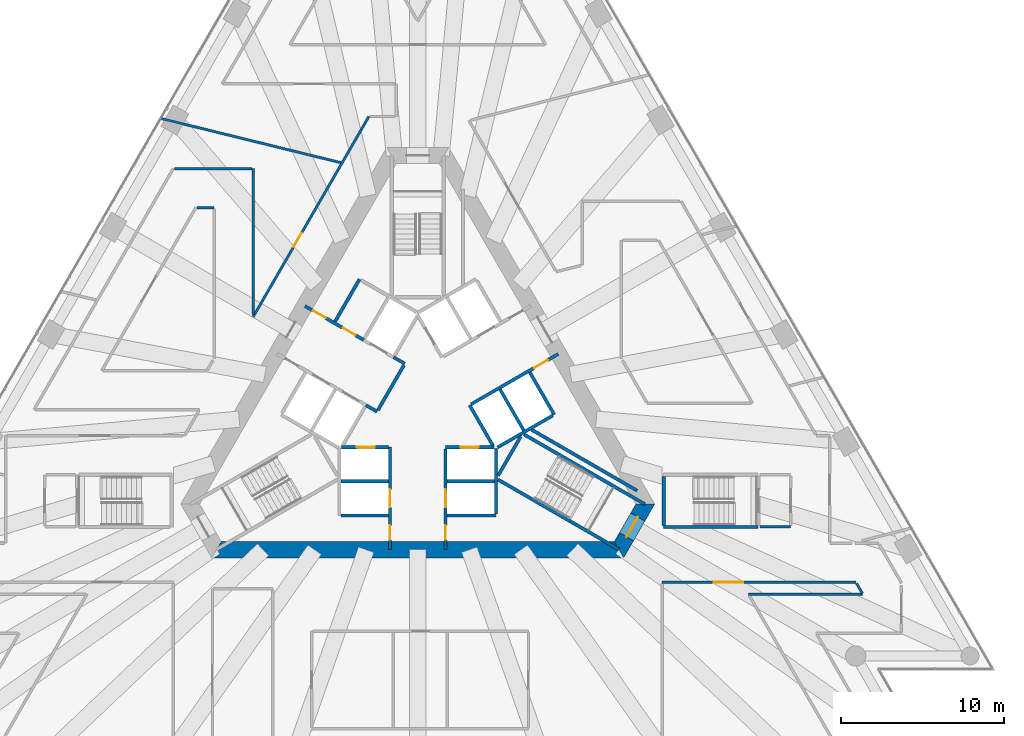
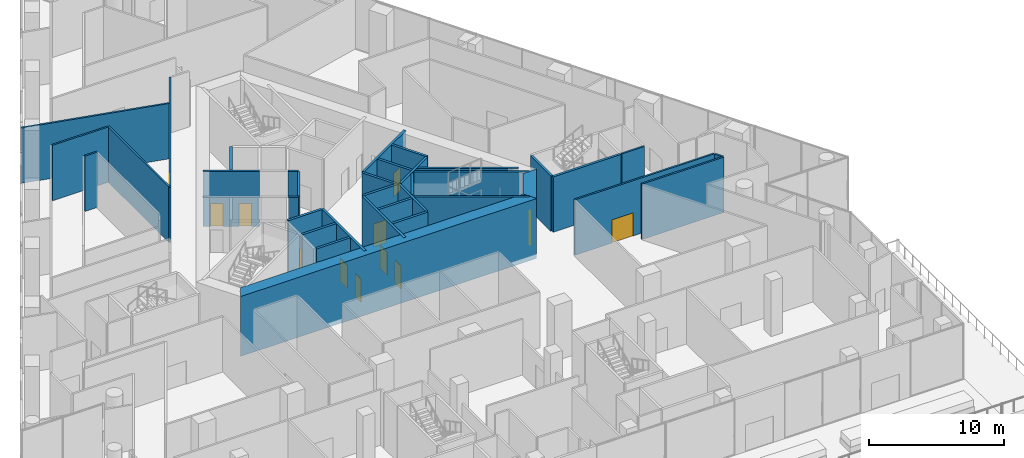
# One storey, part 24 of 32: 36 walls, 12 doors, 12 openings.
"""IFC4 building model written with IfcOpenShell, lengths in metres."""

from ifc_helpers import new_model, si_unit, direction, frame, frame_2d, origin, place, context, subcontext, project, spatial, polyline, rectangle, outline, extrude, material, layer, layer_set, type_object, element, fill, save


model = new_model("IFC4")

# Units and contexts
model_context = context("Model", 3, precision=1e-05, world=origin(), true_north=direction((0.0, 1.0)))
body_context = subcontext(model_context, "Body", "Model", "MODEL_VIEW")
ifc_project = project(units=[si_unit("LENGTHUNIT", "METRE"), si_unit("AREAUNIT", "SQUARE_METRE"), si_unit("VOLUMEUNIT", "CUBIC_METRE"), si_unit("PLANEANGLEUNIT", "RADIAN"), si_unit("MASSUNIT", "GRAM", prefix="KILO")], contexts=[model_context])

# Site, building, storey
site_placement = place(None, origin())
site = spatial("IfcSite", under=ifc_project, at=site_placement, CompositionType="ELEMENT")
building_placement = place(site_placement, origin())
building = spatial("IfcBuilding", under=site, at=building_placement, Name="Triada Interchange Tower", CompositionType="ELEMENT")
storey_placement = place(building_placement, frame((0.0, 0.0, 14.5)))
storey = spatial("IfcBuildingStorey", under=building, at=storey_placement, Name="L02", CompositionType="ELEMENT", Elevation=14.5)

# Walls
ifc_material_1 = material(Name="Concrete C30/37", Category="concrete")
ifc_layer_1 = layer(ifc_material_1, 0.199951171875)
ifc_layer_set_1 = layer_set([ifc_layer_1], Name="CORE WALL 200 EI 120")
wall_type_1 = type_object("IfcWallType", Name="CORE WALL 200 EI 120", PredefinedType="SOLIDWALL", material=ifc_layer_set_1)
for number, where, z_axis, x_axis, name in (
    (1, (-4.699951171875, -4.800048828125, 0.0), (0.0, 0.0, 1.0), (1.0, 0.0, 0.0), "Wall L02 145"),
    (2, (1.800048828125, -4.800048828125, 0.0), (0.0, 0.0, 1.0), (1.0, 0.0, 0.0), "Wall L02 146"),
    (3, (-4.699951171875, -6.89990234375, 0.0), (0.0, 0.0, 1.0), (1.0, 0.0, 0.0), "Wall L02 148"),
):
    element("IfcWall", number, at=place(storey_placement, frame(where, z_axis=z_axis, x_axis=x_axis)), inside=storey, type_object=wall_type_1, Name=name, PredefinedType="SOLIDWALL", context=body_context, shape_type="SweptSolid", body=[
        extrude(rectangle(XDim=2.89990234375, YDim=0.199951171875, at=frame_2d((1.449951171875, 0.0))), origin(), (0.0, 0.0, 1.0), 5.0),
    ])
wall_1_placement = place(storey_placement, frame((1.800048828125, -6.89990234375, 0.0), z_axis=(0.0, 0.0, 1.0), x_axis=(1.0, 0.0, 0.0)))
element("IfcWall", 4, at=wall_1_placement, inside=storey, type_object=wall_type_1, Name="Wall L02 149", PredefinedType="SOLIDWALL", context=body_context, shape_type="SweptSolid", body=[
    extrude(rectangle(XDim=3.0, YDim=0.199951171875, at=frame_2d((1.5, 0.0))), origin(), (0.0, 0.0, 1.0), 5.0),
])

# Wall, openings, doors
wall_2_placement = place(storey_placement, frame((-1.699951171875, -8.97998046875, 0.0), z_axis=(0.0, 0.0, 1.0), x_axis=(0.0, 1.0, 0.0)))
wall_2 = element("IfcWall", 5, at=wall_2_placement, inside=storey, type_object=wall_type_1, Name="Wall L02 150", PredefinedType="SOLIDWALL", context=body_context, shape_type="SweptSolid", body=[
    extrude(rectangle(XDim=6.277099609375, YDim=0.199951171875, at=frame_2d((3.138671875, 0.0))), origin(), (0.0, 0.0, 1.0), 5.0),
])
opening_1_placement = place(wall_2_placement, frame((2.580078125, 0.0, 0.0)))
opening_1 = element("IfcOpeningElement", 6, at=opening_1_placement, cuts=wall_2, Name="Opening LD-LR4", PredefinedType="OPENING", context=body_context, shape_type="SweptSolid", body=[
    extrude(rectangle(XDim=1.10009765625, YDim=2.10009765625, at=frame_2d((0.550048828125, 1.050048828125))), frame((0.0, 0.10986328125, 0.0), z_axis=(0.0, -1.0, 0.0), x_axis=(1.0, 0.0, 0.0)), (0.0, 0.0, 1.0), 0.219970703125),
])
opening_2_placement = place(wall_2_placement, frame((0.580078125, 0.0, 0.0)))
opening_2 = element("IfcOpeningElement", 7, at=opening_2_placement, cuts=wall_2, Name="Opening D02-58", PredefinedType="OPENING", context=body_context, shape_type="SweptSolid", body=[
    extrude(rectangle(XDim=0.89990234375, YDim=2.10009765625, at=frame_2d((0.449951171875, 1.050048828125))), frame((0.0, 0.10986328125, 0.0), z_axis=(0.0, -1.0, 0.0), x_axis=(1.0, 0.0, 0.0)), (0.0, 0.0, 1.0), 0.219970703125),
])
ifc_material_2 = material(Name="Steel S235 door leaf", Category="steel")
door_type_1 = type_object("IfcDoorType", Name="LIFT LANDING DOOR 1100 EI 120", OperationType="SLIDING_TO_LEFT", PredefinedType="DOOR", material=ifc_material_2)
door_1_placement = place(opening_1_placement, origin())
door_1 = element("IfcDoor", 8, at=door_1_placement, inside=storey, type_object=door_type_1, Name="LR4 landing door L02", OperationType="SLIDING_TO_LEFT", OverallHeight=2.10009765625, OverallWidth=1.10009765625, PredefinedType="DOOR", context=body_context, shape_type="SweptSolid", body=[
    extrude(rectangle(XDim=1.10009765625, YDim=2.10009765625, at=frame_2d((0.550048828125, 1.050048828125))), frame((0.0, 0.02490234375, 0.0), z_axis=(0.0, -1.0, 0.0), x_axis=(1.0, 0.0, 0.0)), (0.0, 0.0, 1.0), 0.050048828125),
])
fill(opening_1, door_1)
door_type_2 = type_object("IfcDoorType", Name="SERVICE DOOR 900 EI2 45-C5S200", OperationType="NOTDEFINED", PredefinedType="DOOR", material=ifc_material_2)
door_2_placement = place(opening_2_placement, origin())
door_2 = element("IfcDoor", 9, at=door_2_placement, inside=storey, type_object=door_type_2, Name="Door D02-58 L02", OperationType="SINGLE_SWING_RIGHT", OverallHeight=2.10009765625, OverallWidth=0.89990234375, PredefinedType="DOOR", context=body_context, shape_type="SweptSolid", body=[
    extrude(rectangle(XDim=0.89990234375, YDim=2.10009765625, at=frame_2d((0.449951171875, 1.050048828125))), frame((0.0, 0.02490234375, 0.0), z_axis=(0.0, -1.0, 0.0), x_axis=(1.0, 0.0, 0.0)), (0.0, 0.0, 1.0), 0.050048828125),
])
fill(opening_2, door_2)

# Wall, opening, door
wall_3_placement = place(storey_placement, frame((-4.676025390625, -2.699951171875, 0.0), z_axis=(0.0, 0.0, 1.0), x_axis=(1.0, 0.0, 0.0)))
wall_3 = element("IfcWall", 10, at=wall_3_placement, inside=storey, type_object=wall_type_1, Name="Wall L02 151", PredefinedType="SOLIDWALL", context=body_context, shape_type="SweptSolid", body=[
    extrude(rectangle(XDim=2.873046875, YDim=0.199951171875, at=frame_2d((1.4365234375, 0.0))), origin(), (0.0, 0.0, 1.0), 5.0),
])
opening_3_placement = place(wall_3_placement, frame((0.93701171875, 0.0, 0.0)))
opening_3 = element("IfcOpeningElement", 11, at=opening_3_placement, cuts=wall_3, Name="Opening LD-LR3", PredefinedType="OPENING", context=body_context, shape_type="SweptSolid", body=[
    extrude(rectangle(XDim=1.10009765625, YDim=2.10009765625, at=frame_2d((0.550048828125, 1.050048828125))), frame((0.0, 0.10986328125, 0.0), z_axis=(0.0, -1.0, 0.0), x_axis=(1.0, 0.0, 0.0)), (0.0, 0.0, 1.0), 0.219970703125),
])
door_3_placement = place(opening_3_placement, origin())
door_3 = element("IfcDoor", 12, at=door_3_placement, inside=storey, type_object=door_type_1, Name="LR3 landing door L02", OperationType="SLIDING_TO_LEFT", OverallHeight=2.10009765625, OverallWidth=1.10009765625, PredefinedType="DOOR", context=body_context, shape_type="SweptSolid", body=[
    extrude(rectangle(XDim=1.10009765625, YDim=2.10009765625, at=frame_2d((0.550048828125, 1.050048828125))), frame((0.0, 0.02490234375, 0.0), z_axis=(0.0, -1.0, 0.0), x_axis=(1.0, 0.0, 0.0)), (0.0, 0.0, 1.0), 0.050048828125),
])
fill(opening_3, door_3)

wall_4_placement = place(storey_placement, frame((1.702880859375, -2.699951171875, 0.0), z_axis=(0.0, 0.0, 1.0), x_axis=(1.0, 0.0, 0.0)))
wall_4 = element("IfcWall", 13, at=wall_4_placement, inside=storey, type_object=wall_type_1, Name="Wall L02 152", PredefinedType="SOLIDWALL", context=body_context, shape_type="SweptSolid", body=[
    extrude(rectangle(XDim=2.97314453125, YDim=0.199951171875, at=frame_2d((1.486572265625, 0.0))), origin(), (0.0, 0.0, 1.0), 5.0),
])
opening_4_placement = place(wall_4_placement, frame((0.93603515625, 0.0, 0.0)))
opening_4 = element("IfcOpeningElement", 14, at=opening_4_placement, cuts=wall_4, Name="Opening LD-LR1", PredefinedType="OPENING", context=body_context, shape_type="SweptSolid", body=[
    extrude(rectangle(XDim=1.10009765625, YDim=2.10009765625, at=frame_2d((0.550048828125, 1.050048828125))), frame((0.0, 0.10986328125, 0.0), z_axis=(0.0, -1.0, 0.0), x_axis=(1.0, 0.0, 0.0)), (0.0, 0.0, 1.0), 0.219970703125),
])
door_4_placement = place(opening_4_placement, origin())
door_4 = element("IfcDoor", 15, at=door_4_placement, inside=storey, type_object=door_type_1, Name="LR1 landing door L02", OperationType="SLIDING_TO_LEFT", OverallHeight=2.10009765625, OverallWidth=1.10009765625, PredefinedType="DOOR", context=body_context, shape_type="SweptSolid", body=[
    extrude(rectangle(XDim=1.10009765625, YDim=2.10009765625, at=frame_2d((0.550048828125, 1.050048828125))), frame((0.0, 0.02490234375, 0.0), z_axis=(0.0, -1.0, 0.0), x_axis=(1.0, 0.0, 0.0)), (0.0, 0.0, 1.0), 0.050048828125),
])
fill(opening_4, door_4)

# Wall
wall_5_placement = place(storey_placement, frame((3.18994140625, -0.125, 0.0), z_axis=(0.0, 0.0, 1.0), x_axis=(0.499988658015, -0.866031951983, 0.0)))
element("IfcWall", 16, at=wall_5_placement, inside=storey, type_object=wall_type_1, Name="Wall L02 155", PredefinedType="SOLIDWALL", context=body_context, shape_type="SweptSolid", body=[
    extrude(rectangle(XDim=2.85791015625, YDim=0.199951171875, at=frame_2d((1.428955078125, 0.0))), origin(), (0.0, 0.0, 1.0), 5.0),
])

# Wall, openings, doors
wall_6_placement = place(storey_placement, frame((1.699951171875, -8.97998046875, 0.0), z_axis=(0.0, 0.0, 1.0), x_axis=(0.0, 1.0, 0.0)))
wall_6 = element("IfcWall", 17, at=wall_6_placement, inside=storey, type_object=wall_type_1, Name="Wall L02 157", PredefinedType="SOLIDWALL", context=body_context, shape_type="SweptSolid", body=[
    extrude(rectangle(XDim=6.177001953125, YDim=0.199951171875, at=frame_2d((3.08837890625, 0.0))), origin(), (0.0, 0.0, 1.0), 5.0),
])
opening_5_placement = place(wall_6_placement, frame((2.580078125, 0.0, 0.0)))
opening_5 = element("IfcOpeningElement", 18, at=opening_5_placement, cuts=wall_6, Name="Opening LD-LR2", PredefinedType="OPENING", context=body_context, shape_type="SweptSolid", body=[
    extrude(rectangle(XDim=1.10009765625, YDim=2.10009765625, at=frame_2d((0.550048828125, 1.050048828125))), frame((0.0, 0.10986328125, 0.0), z_axis=(0.0, -1.0, 0.0), x_axis=(1.0, 0.0, 0.0)), (0.0, 0.0, 1.0), 0.219970703125),
])
opening_6_placement = place(wall_6_placement, frame((0.580078125, 0.0, 0.0)))
opening_6 = element("IfcOpeningElement", 19, at=opening_6_placement, cuts=wall_6, Name="Opening D02-61", PredefinedType="OPENING", context=body_context, shape_type="SweptSolid", body=[
    extrude(rectangle(XDim=0.89990234375, YDim=2.10009765625, at=frame_2d((0.449951171875, 1.050048828125))), frame((0.0, 0.10986328125, 0.0), z_axis=(0.0, -1.0, 0.0), x_axis=(1.0, 0.0, 0.0)), (0.0, 0.0, 1.0), 0.219970703125),
])
door_5_placement = place(opening_5_placement, origin())
door_5 = element("IfcDoor", 20, at=door_5_placement, inside=storey, type_object=door_type_1, Name="LR2 landing door L02", OperationType="SLIDING_TO_LEFT", OverallHeight=2.10009765625, OverallWidth=1.10009765625, PredefinedType="DOOR", context=body_context, shape_type="SweptSolid", body=[
    extrude(rectangle(XDim=1.10009765625, YDim=2.10009765625, at=frame_2d((0.550048828125, 1.050048828125))), frame((0.0, 0.02490234375, 0.0), z_axis=(0.0, -1.0, 0.0), x_axis=(1.0, 0.0, 0.0)), (0.0, 0.0, 1.0), 0.050048828125),
])
fill(opening_5, door_5)
door_type_3 = type_object("IfcDoorType", Name="RISER ACCESS DOOR 900 EI2 45-C5S200", OperationType="NOTDEFINED", PredefinedType="DOOR", material=ifc_material_2)
door_6_placement = place(opening_6_placement, origin())
door_6 = element("IfcDoor", 21, at=door_6_placement, inside=storey, type_object=door_type_3, Name="Door D02-61 L02", OperationType="SINGLE_SWING_LEFT", OverallHeight=2.10009765625, OverallWidth=0.89990234375, PredefinedType="DOOR", context=body_context, shape_type="SweptSolid", body=[
    extrude(rectangle(XDim=0.89990234375, YDim=2.10009765625, at=frame_2d((0.449951171875, 1.050048828125))), frame((0.0, 0.02490234375, 0.0), z_axis=(0.0, -1.0, 0.0), x_axis=(1.0, 0.0, 0.0)), (0.0, 0.0, 1.0), 0.050048828125),
])
fill(opening_6, door_6)

# Wall
wall_7_placement = place(storey_placement, frame((4.800048828125, -6.800048828125, 0.0), z_axis=(0.0, 0.0, 1.0), x_axis=(0.0, 1.0, 0.0)))
element("IfcWall", 22, at=wall_7_placement, inside=storey, type_object=wall_type_1, Name="Wall L02 158", PredefinedType="SOLIDWALL", context=body_context, shape_type="SweptSolid", body=[
    extrude(rectangle(XDim=4.029052734375, YDim=0.199951171875, at=frame_2d((2.0146484375, 0.0))), origin(), (0.0, 0.0, 1.0), 5.0),
])

# Wall, opening, door
wall_8_placement = place(storey_placement, frame((3.278076171875, -0.071044921875, 0.0), z_axis=(0.0, 0.0, 1.0), x_axis=(0.865959795517, 0.500113619639, 0.0)))
wall_8 = element("IfcWall", 23, at=wall_8_placement, inside=storey, type_object=wall_type_1, Name="Wall L02 159", PredefinedType="SOLIDWALL", context=body_context, shape_type="SweptSolid", body=[
    extrude(rectangle(XDim=6.1767578125, YDim=0.199951171875, at=frame_2d((3.08837890625, 0.0))), origin(), (0.0, 0.0, 1.0), 5.0),
])
opening_7_placement = place(wall_8_placement, frame((4.447021484375, 0.0, 0.0)))
opening_7 = element("IfcOpeningElement", 24, at=opening_7_placement, cuts=wall_8, Name="Opening D02-62", PredefinedType="OPENING", context=body_context, shape_type="SweptSolid", body=[
    extrude(rectangle(XDim=1.0, YDim=2.10009765625, at=frame_2d((0.5, 1.050048828125))), frame((0.0, 0.10986328125, 0.0), z_axis=(0.0, -1.0, 0.0), x_axis=(1.0, 0.0, 0.0)), (0.0, 0.0, 1.0), 0.219970703125),
])
door_type_4 = type_object("IfcDoorType", Name="SERVICE DOOR 1000 EI2 45-C5S200", OperationType="NOTDEFINED", PredefinedType="DOOR", material=ifc_material_2)
door_7_placement = place(opening_7_placement, origin())
door_7 = element("IfcDoor", 25, at=door_7_placement, inside=storey, type_object=door_type_4, Name="Door D02-62 L02", OperationType="SINGLE_SWING_RIGHT", OverallHeight=2.10009765625, OverallWidth=1.0, PredefinedType="DOOR", context=body_context, shape_type="SweptSolid", body=[
    extrude(rectangle(XDim=1.0, YDim=2.10009765625, at=frame_2d((0.5, 1.050048828125))), frame((0.0, 0.02490234375, 0.0), z_axis=(0.0, -1.0, 0.0), x_axis=(1.0, 0.0, 0.0)), (0.0, 0.0, 1.0), 0.050048828125),
])
fill(opening_7, door_7)

# Walls
wall_9_placement = place(storey_placement, frame((6.8759765625, 1.89111328125, 0.0), z_axis=(0.0, 0.0, 1.0), x_axis=(0.499990139034, -0.866031096941, 0.0)))
element("IfcWall", 26, at=wall_9_placement, inside=storey, type_object=wall_type_1, Name="Wall L02 161", PredefinedType="SOLIDWALL", context=body_context, shape_type="SweptSolid", body=[
    extrude(rectangle(XDim=3.0, YDim=0.199951171875, at=frame_2d((1.5, 0.0))), origin(), (0.0, 0.0, 1.0), 5.0),
])
wall_10_placement = place(storey_placement, frame((5.056884765625, 0.841064453125, 0.0), z_axis=(0.0, 0.0, 1.0), x_axis=(0.50012328804, -0.865954211699, 0.0)))
element("IfcWall", 27, at=wall_10_placement, inside=storey, type_object=wall_type_1, Name="Wall L02 163", PredefinedType="SOLIDWALL", context=body_context, shape_type="SweptSolid", body=[
    extrude(rectangle(XDim=2.899658203125, YDim=0.199951171875, at=frame_2d((1.44970703125, 0.0))), origin(), (0.0, 0.0, 1.0), 5.0),
])
wall_11_placement = place(storey_placement, frame((4.89990234375, -2.714111328125, 0.0), z_axis=(0.0, 0.0, 1.0), x_axis=(0.865992350556, 0.500057245502, 0.0)))
element("IfcWall", 28, at=wall_11_placement, inside=storey, type_object=wall_type_1, Name="Wall L02 164", PredefinedType="SOLIDWALL", context=body_context, shape_type="SweptSolid", body=[
    extrude(rectangle(XDim=3.91357421875, YDim=0.199951171875, at=frame_2d((1.956787109375, 0.0))), origin(), (0.0, 0.0, 1.0), 5.0),
])
ifc_layer_2 = layer(ifc_material_1, 0.199951171875)
ifc_layer_set_2 = layer_set([ifc_layer_2], Name="CORE WALL 200 EI 180")
wall_type_2 = type_object("IfcWallType", Name="CORE WALL 200 EI 180", PredefinedType="SOLIDWALL", material=ifc_layer_set_2)
wall_12_placement = place(storey_placement, frame((-3.18798828125, -0.1220703125, 0.0), z_axis=(0.0, 0.0, 1.0), x_axis=(0.865705793592, -0.50055317294, 0.0)))
element("IfcWall", 29, at=wall_12_placement, inside=storey, type_object=wall_type_2, Name="Wall L02 166", PredefinedType="SOLIDWALL", context=body_context, shape_type="SweptSolid", body=[
    extrude(rectangle(XDim=0.796875, YDim=0.199951171875, at=frame_2d((0.3984375, 0.0))), origin(), (0.0, 0.0, 1.0), 5.0),
])

# Wall, openings, doors
wall_13_placement = place(storey_placement, frame((-6.927001953125, 5.9619140625, 0.0), z_axis=(0.0, 0.0, 1.0), x_axis=(0.866065051207, -0.49993132236, 0.0)))
wall_13 = element("IfcWall", 30, at=wall_13_placement, inside=storey, type_object=wall_type_2, Name="Wall L02 167", PredefinedType="SOLIDWALL", context=body_context, shape_type="SweptSolid", body=[
    extrude(rectangle(XDim=4.18212890625, YDim=0.199951171875, at=frame_2d((2.091064453125, 0.0))), origin(), (0.0, 0.0, 1.0), 5.0),
])
opening_8_placement = place(wall_13_placement, frame((2.679931640625, 0.0, 0.0)))
opening_8 = element("IfcOpeningElement", 31, at=opening_8_placement, cuts=wall_13, Name="Opening D02-10", PredefinedType="OPENING", context=body_context, shape_type="SweptSolid", body=[
    extrude(rectangle(XDim=0.89990234375, YDim=2.10009765625, at=frame_2d((0.449951171875, 1.050048828125))), frame((0.0, 0.10986328125, 0.0), z_axis=(0.0, -1.0, 0.0), x_axis=(1.0, 0.0, 0.0)), (0.0, 0.0, 1.0), 0.219970703125),
])
opening_9_placement = place(wall_13_placement, frame((0.580078125, 0.0, 0.0)))
opening_9 = element("IfcOpeningElement", 32, at=opening_9_placement, cuts=wall_13, Name="Opening D02-59", PredefinedType="OPENING", context=body_context, shape_type="SweptSolid", body=[
    extrude(rectangle(XDim=0.89990234375, YDim=2.10009765625, at=frame_2d((0.449951171875, 1.050048828125))), frame((0.0, 0.10986328125, 0.0), z_axis=(0.0, -1.0, 0.0), x_axis=(1.0, 0.0, 0.0)), (0.0, 0.0, 1.0), 0.219970703125),
])
door_8_placement = place(opening_9_placement, origin())
door_8 = element("IfcDoor", 33, at=door_8_placement, inside=storey, type_object=door_type_2, Name="Door D02-59 L02", OperationType="SINGLE_SWING_RIGHT", OverallHeight=2.10009765625, OverallWidth=0.89990234375, PredefinedType="DOOR", context=body_context, shape_type="SweptSolid", body=[
    extrude(rectangle(XDim=0.89990234375, YDim=2.10009765625, at=frame_2d((0.449951171875, 1.050048828125))), frame((0.0, 0.02490234375, 0.0), z_axis=(0.0, -1.0, 0.0), x_axis=(1.0, 0.0, 0.0)), (0.0, 0.0, 1.0), 0.050048828125),
])
fill(opening_9, door_8)
door_type_5 = type_object("IfcDoorType", Name="SERVICE DOOR 900 EI2 90-C5S200", OperationType="NOTDEFINED", PredefinedType="DOOR", material=ifc_material_2)
door_9_placement = place(opening_8_placement, origin())
door_9 = element("IfcDoor", 34, at=door_9_placement, inside=storey, type_object=door_type_5, Name="Door D02-10 L02", OperationType="SINGLE_SWING_LEFT", OverallHeight=2.10009765625, OverallWidth=0.89990234375, PredefinedType="DOOR", context=body_context, shape_type="SweptSolid", body=[
    extrude(rectangle(XDim=0.89990234375, YDim=2.10009765625, at=frame_2d((0.449951171875, 1.050048828125))), frame((0.0, 0.02490234375, 0.0), z_axis=(0.0, -1.0, 0.0), x_axis=(1.0, 0.0, 0.0)), (0.0, 0.0, 1.0), 0.050048828125),
])
fill(opening_8, door_9)

# Walls
wall_14_placement = place(storey_placement, frame((-1.488037109375, 2.822021484375, 0.0), z_axis=(0.0, 0.0, 1.0), x_axis=(0.866236612152, -0.499633997809, 0.0)))
element("IfcWall", 35, at=wall_14_placement, inside=storey, type_object=wall_type_2, Name="Wall L02 168", PredefinedType="SOLIDWALL", context=body_context, shape_type="SweptSolid", body=[
    extrude(rectangle(XDim=0.79638671875, YDim=0.199951171875, at=frame_2d((0.398193359375, 0.0))), origin(), (0.0, 0.0, 1.0), 5.0),
])
wall_15_placement = place(storey_placement, frame((-5.075927734375, 5.009033203125, 0.0), z_axis=(0.0, 0.0, 1.0), x_axis=(0.50002537861, 0.866010750942, 0.0)))
element("IfcWall", 36, at=wall_15_placement, inside=storey, type_object=wall_type_2, Name="Wall L02 169", PredefinedType="SOLIDWALL", context=body_context, shape_type="SweptSolid", body=[
    extrude(rectangle(XDim=2.999755859375, YDim=0.199951171875, at=frame_2d((1.5, 0.0))), origin(), (0.0, 0.0, 1.0), 5.0),
])
wall_16_placement = place(storey_placement, frame((-2.444091796875, -0.43310546875, 0.0), z_axis=(0.0, 0.0, 1.0), x_axis=(0.500035624827, 0.866004834804, 0.0)))
element("IfcWall", 37, at=wall_16_placement, inside=storey, type_object=wall_type_2, Name="Wall L02 171", PredefinedType="SOLIDWALL", context=body_context, shape_type="SweptSolid", body=[
    extrude(rectangle(XDim=3.194091796875, YDim=0.199951171875, at=frame_2d((1.59716796875, 0.0))), origin(), (0.0, 0.0, 1.0), 5.0),
])
ifc_layer_3 = layer(ifc_material_1, 0.199951171875)
ifc_layer_set_3 = layer_set([ifc_layer_3], Name="CORE WALL 200 EI 90")
wall_type_3 = type_object("IfcWallType", Name="CORE WALL 200 EI 90", PredefinedType="SOLIDWALL", material=ifc_layer_set_3)
wall_17_placement = place(storey_placement, frame((6.98291015625, -1.6259765625, 0.0), z_axis=(0.0, 0.0, 1.0), x_axis=(0.866012469592, -0.50002240201, 0.0)))
element("IfcWall", 38, at=wall_17_placement, inside=storey, type_object=wall_type_3, Name="Wall L02 181", PredefinedType="SOLIDWALL", context=body_context, shape_type="SweptSolid", body=[
    extrude(rectangle(XDim=7.491943359375, YDim=0.199951171875, at=frame_2d((3.74609375, 0.0))), origin(), (0.0, 0.0, 1.0), 5.0),
])
ifc_layer_4 = layer(ifc_material_1, 0.199951171875)
ifc_layer_set_4 = layer_set([ifc_layer_4], Name="CORE WALL 200 REI 240")
wall_type_4 = type_object("IfcWallType", Name="CORE WALL 200 REI 240", PredefinedType="SOLIDWALL", material=ifc_layer_set_4)
wall_18_placement = place(storey_placement, frame((4.928955078125, -4.693115234375, 0.0), z_axis=(0.0, 0.0, 1.0), x_axis=(0.865987152174, -0.50006624788, 0.0)))
element("IfcWall", 39, at=wall_18_placement, inside=storey, type_object=wall_type_4, Name="Wall L02 188", PredefinedType="SOLIDWALL", context=body_context, shape_type="SweptSolid", body=[
    extrude(rectangle(XDim=8.564697265625, YDim=0.199951171875, at=frame_2d((4.2822265625, 0.0))), origin(), (0.0, 0.0, 1.0), 5.0),
])
wall_19_placement = place(storey_placement, frame((4.928955078125, -4.4619140625, 0.0), z_axis=(0.0, 0.0, 1.0), x_axis=(0.500200581029, 0.865909567298, 0.0)))
element("IfcWall", 40, at=wall_19_placement, inside=storey, type_object=wall_type_4, Name="Wall L02 189", PredefinedType="SOLIDWALL", context=body_context, shape_type="SweptSolid", body=[
    extrude(rectangle(XDim=2.799072265625, YDim=0.199951171875, at=frame_2d((1.3994140625, 0.0))), origin(), (0.0, 0.0, 1.0), 5.0),
])
wall_20_placement = place(storey_placement, frame((6.529052734375, -1.922119140625, 0.0), z_axis=(0.0, 0.0, 1.0), x_axis=(0.866036527536, -0.499980732602, 0.0)))
element("IfcWall", 41, at=wall_20_placement, inside=storey, type_object=wall_type_4, Name="Wall L02 190", PredefinedType="SOLIDWALL", context=body_context, shape_type="SweptSolid", body=[
    extrude(rectangle(XDim=8.564208984375, YDim=0.199951171875, at=frame_2d((4.2822265625, 0.0))), origin(), (0.0, 0.0, 1.0), 5.0),
])
wall_21_placement = place(storey_placement, frame((15.10009765625, -7.60009765625, 0.0), z_axis=(0.0, 0.0, 1.0), x_axis=(1.0, 0.0, 0.0)))
element("IfcWall", 42, at=wall_21_placement, inside=storey, type_object=wall_type_4, Name="Wall L02 196", PredefinedType="SOLIDWALL", context=body_context, shape_type="SweptSolid", body=[
    extrude(rectangle(XDim=5.7978515625, YDim=0.199951171875, at=frame_2d((2.89892578125, 0.0))), origin(), (0.0, 0.0, 1.0), 5.0),
])
wall_22_placement = place(storey_placement, frame((15.10009765625, -7.5, 0.0), z_axis=(0.0, 0.0, 1.0), x_axis=(0.0, 1.0, 0.0)))
element("IfcWall", 43, at=wall_22_placement, inside=storey, type_object=wall_type_4, Name="Wall L02 213", PredefinedType="SOLIDWALL", context=body_context, shape_type="SweptSolid", body=[
    extrude(rectangle(XDim=3.0, YDim=0.199951171875, at=frame_2d((1.5, 0.0))), origin(), (0.0, 0.0, 1.0), 5.0),
])
ifc_material_3 = material(Name="Concrete C70/85", Category="concrete")
ifc_layer_5 = layer(ifc_material_3, 1.0)
ifc_layer_set_5 = layer_set([ifc_layer_5], Name="Core wall P 1000")
wall_type_5 = type_object("IfcWallType", Name="Core wall P 1000", PredefinedType="SHEAR", material=ifc_layer_set_5)
wall_23_placement = place(storey_placement, frame((-12.35498046875, -9.0, -0.39990234375), z_axis=(0.0, 0.0, 1.0), x_axis=(1.0, 0.0, 0.0)))
element("IfcWall", 44, at=wall_23_placement, inside=storey, type_object=wall_type_5, Name="Core wall WP04 L02", PredefinedType="SHEAR", context=body_context, shape_type="SweptSolid", body=[
    extrude(outline(polyline([(-0.2890625, -0.5), (1.65625, -0.5), (3.601318359375, -0.5), (5.546630859375, -0.5), (7.491943359375, -0.5), (9.43701171875, -0.5), (11.38232421875, -0.5), (13.32763671875, -0.5), (15.27294921875, -0.5), (17.218017578125, -0.5), (19.163330078125, -0.5), (21.108642578125, -0.5), (23.0537109375, -0.5), (24.9990234375, -0.5), (24.422119140625, 0.5), (22.565673828125, 0.5), (20.709228515625, 0.5), (18.852783203125, 0.5), (16.996337890625, 0.5), (15.139892578125, 0.5), (13.283447265625, 0.5), (11.4267578125, 0.5), (9.5703125, 0.5), (7.7138671875, 0.5), (5.857421875, 0.5), (4.0009765625, 0.5), (2.14453125, 0.5), (0.2880859375, 0.5), (-0.2890625, -0.5)])), origin(), (0.0, 0.0, 1.0), 5.39990234375),
])

# Wall, opening, door
wall_24_placement = place(storey_placement, frame((12.35498046875, -9.0, -0.39990234375), z_axis=(0.0, 0.0, 1.0), x_axis=(0.500077567175, 0.865980615723, 0.0)))
wall_24 = element("IfcWall", 45, at=wall_24_placement, inside=storey, type_object=wall_type_5, Name="Core wall WP05 L02", PredefinedType="SHEAR", context=body_context, shape_type="SweptSolid", body=[
    extrude(outline(polyline([(-0.2880859375, -0.5), (1.616943359375, -0.5), (3.52197265625, -0.5), (2.945068359375, 0.5), (1.6171875, 0.49951171875), (0.2890625, 0.4990234375), (-0.2880859375, -0.5)])), origin(), (0.0, 0.0, 1.0), 5.39990234375),
])
opening_10_placement = place(wall_24_placement, frame((0.9169921875, 0.0, 0.39990234375)))
opening_10 = element("IfcOpeningElement", 46, at=opening_10_placement, cuts=wall_24, Name="Opening D02-55", PredefinedType="OPENING", context=body_context, shape_type="SweptSolid", body=[
    extrude(rectangle(XDim=1.39990234375, YDim=2.10009765625, at=frame_2d((0.699951171875, 1.050048828125))), frame((0.0, 0.510009765625, 0.0), z_axis=(0.0, -1.0, 0.0), x_axis=(1.0, 0.0, 0.0)), (0.0, 0.0, 1.0), 1.02001953125),
])
door_type_6 = type_object("IfcDoorType", Name="STAIR DOOR 1400 EI2 90-C5S200", OperationType="DOUBLE_DOOR_SINGLE_SWING", PredefinedType="DOOR", material=ifc_material_2)
door_10_placement = place(opening_10_placement, origin())
door_10 = element("IfcDoor", 47, at=door_10_placement, inside=storey, type_object=door_type_6, Name="Door D02-55 L02", OperationType="DOUBLE_DOOR_SINGLE_SWING", OverallHeight=2.10009765625, OverallWidth=1.39990234375, PredefinedType="DOOR", context=body_context, shape_type="SweptSolid", body=[
    extrude(rectangle(XDim=1.39990234375, YDim=2.10009765625, at=frame_2d((0.699951171875, 1.050048828125))), frame((0.0, 0.02490234375, 0.0), z_axis=(0.0, -1.0, 0.0), x_axis=(1.0, 0.0, 0.0)), (0.0, 0.0, 1.0), 0.050048828125),
])
fill(opening_10, door_10)

# Walls
ifc_material_4 = material(Name="Gypsum board partition")
ifc_layer_6 = layer(ifc_material_4, 0.14990234375)
ifc_layer_set_6 = layer_set([ifc_layer_6], Name="PARTITION 150")
wall_type_6 = type_object("IfcWallType", Name="PARTITION 150", PredefinedType="PARTITIONING", material=ifc_layer_set_6)
wall_25_placement = place(storey_placement, frame((-15.77197265625, 17.48193359375, 0.0), z_axis=(0.0, 0.0, 1.0), x_axis=(0.971054639106, -0.2388574635, 0.0)))
element("IfcWall", 48, at=wall_25_placement, inside=storey, type_object=wall_type_6, Name="Wall L02 56", PredefinedType="PARTITIONING", context=body_context, shape_type="SweptSolid", body=[
    extrude(rectangle(XDim=11.375244140625, YDim=0.14990234375, at=frame_2d((5.6875, 0.0))), origin(), (0.0, 0.0, 1.0), 5.0),
])
ifc_layer_7 = layer(ifc_material_4, 0.14990234375)
ifc_layer_set_7 = layer_set([ifc_layer_7], Name="PARTITION 150 EI 180")
wall_type_7 = type_object("IfcWallType", Name="PARTITION 150 EI 180", PredefinedType="PARTITIONING", material=ifc_layer_set_7)
wall_26_placement = place(storey_placement, frame((21.0, -7.60009765625, 0.0), z_axis=(0.0, 0.0, 1.0), x_axis=(1.0, 0.0, 0.0)))
element("IfcWall", 49, at=wall_26_placement, inside=storey, type_object=wall_type_7, Name="Wall L02 2", PredefinedType="PARTITIONING", context=body_context, shape_type="SweptSolid", body=[
    extrude(rectangle(XDim=1.89990234375, YDim=0.14990234375, at=frame_2d((0.949951171875, 0.0))), origin(), (0.0, 0.0, 1.0), 5.0),
])

# Wall, opening, door
ifc_layer_8 = layer(ifc_material_4, 0.14990234375)
ifc_layer_set_8 = layer_set([ifc_layer_8], Name="PARTITION 150 EI 90")
wall_type_8 = type_object("IfcWallType", Name="PARTITION 150 EI 90", PredefinedType="PARTITIONING", material=ifc_layer_set_8)
wall_27_placement = place(storey_placement, frame((-10.10009765625, 5.305908203125, 0.0), z_axis=(0.0, 0.0, 1.0), x_axis=(0.500004804517, 0.866022629878, 0.0)))
wall_27 = element("IfcWall", 50, at=wall_27_placement, inside=storey, type_object=wall_type_8, Name="Wall L02 42", PredefinedType="PARTITIONING", context=body_context, shape_type="SweptSolid", body=[
    extrude(rectangle(XDim=14.196044921875, YDim=0.14990234375, at=frame_2d((7.09814453125, 0.0))), origin(), (0.0, 0.0, 1.0), 5.0),
])
opening_11_placement = place(wall_27_placement, frame((4.950927734375, 0.0, 0.0)))
opening_11 = element("IfcOpeningElement", 51, at=opening_11_placement, cuts=wall_27, Name="Opening D02-40", PredefinedType="OPENING", context=body_context, shape_type="SweptSolid", body=[
    extrude(rectangle(XDim=1.0, YDim=2.10009765625, at=frame_2d((0.5, 1.050048828125))), frame((0.0, 0.0849609375, 0.0), z_axis=(0.0, -1.0, 0.0), x_axis=(1.0, 0.0, 0.0)), (0.0, 0.0, 1.0), 0.169921875),
])
door_type_7 = type_object("IfcDoorType", Name="ROOM DOOR 1000 EI2 90-C5S200", OperationType="NOTDEFINED", PredefinedType="DOOR", material=ifc_material_2)
door_11_placement = place(opening_11_placement, origin())
door_11 = element("IfcDoor", 52, at=door_11_placement, inside=storey, type_object=door_type_7, Name="Door D02-40 L02", OperationType="SINGLE_SWING_RIGHT", OverallHeight=2.10009765625, OverallWidth=1.0, PredefinedType="DOOR", context=body_context, shape_type="SweptSolid", body=[
    extrude(rectangle(XDim=1.0, YDim=2.10009765625, at=frame_2d((0.5, 1.050048828125))), frame((0.0, 0.02490234375, 0.0), z_axis=(0.0, -1.0, 0.0), x_axis=(1.0, 0.0, 0.0)), (0.0, 0.0, 1.0), 0.050048828125),
])
fill(opening_11, door_11)

# Walls
wall_28_placement = place(storey_placement, frame((-10.10009765625, 5.4560546875, 0.0), z_axis=(0.0, 0.0, 1.0), x_axis=(0.0, 1.0, 0.0)))
element("IfcWall", 53, at=wall_28_placement, inside=storey, type_object=wall_type_8, Name="Wall L02 46", PredefinedType="PARTITIONING", context=body_context, shape_type="SweptSolid", body=[
    extrude(rectangle(XDim=8.94384765625, YDim=0.14990234375, at=frame_2d((4.471923828125, 0.0))), origin(), (0.0, 0.0, 1.0), 5.0),
])
wall_29_placement = place(storey_placement, frame((-14.924072265625, 14.39990234375, 0.0), z_axis=(0.0, 0.0, 1.0), x_axis=(1.0, 0.0, 0.0)))
element("IfcWall", 54, at=wall_29_placement, inside=storey, type_object=wall_type_8, Name="Wall L02 47", PredefinedType="PARTITIONING", context=body_context, shape_type="SweptSolid", body=[
    extrude(rectangle(XDim=4.7490234375, YDim=0.14990234375, at=frame_2d((2.37451171875, 0.0))), origin(), (0.0, 0.0, 1.0), 5.0),
])

# Wall, opening, door
wall_30_placement = place(storey_placement, frame((15.0, -11.0, 0.0), z_axis=(0.0, 0.0, 1.0), x_axis=(1.0, 0.0, 0.0)))
wall_30 = element("IfcWall", 55, at=wall_30_placement, inside=storey, type_object=wall_type_8, Name="Wall L02 115", PredefinedType="PARTITIONING", context=body_context, shape_type="SweptSolid", body=[
    extrude(rectangle(XDim=11.905029296875, YDim=0.14990234375, at=frame_2d((5.95263671875, 0.0))), origin(), (0.0, 0.0, 1.0), 5.0),
])
opening_12_placement = place(wall_30_placement, frame((3.1708984375, 0.0, 0.0)))
opening_12 = element("IfcOpeningElement", 56, at=opening_12_placement, cuts=wall_30, Name="Opening D02-28", PredefinedType="OPENING", context=body_context, shape_type="SweptSolid", body=[
    extrude(rectangle(XDim=1.800048828125, YDim=2.10009765625, at=frame_2d((0.89990234375, 1.050048828125))), frame((0.0, 0.0849609375, 0.0), z_axis=(0.0, -1.0, 0.0), x_axis=(1.0, 0.0, 0.0)), (0.0, 0.0, 1.0), 0.169921875),
])
door_type_8 = type_object("IfcDoorType", Name="SHOP AND HALL ENTRANCE DOOR 1800 EI2 90-C5S200", OperationType="DOUBLE_DOOR_SINGLE_SWING", PredefinedType="DOOR", material=ifc_material_2)
door_12_placement = place(opening_12_placement, origin())
door_12 = element("IfcDoor", 57, at=door_12_placement, inside=storey, type_object=door_type_8, Name="Door D02-28 L02", OperationType="DOUBLE_DOOR_SINGLE_SWING", OverallHeight=2.10009765625, OverallWidth=1.800048828125, PredefinedType="DOOR", context=body_context, shape_type="SweptSolid", body=[
    extrude(rectangle(XDim=1.800048828125, YDim=2.10009765625, at=frame_2d((0.89990234375, 1.050048828125))), frame((0.0, 0.02490234375, 0.0), z_axis=(0.0, -1.0, 0.0), x_axis=(1.0, 0.0, 0.0)), (0.0, 0.0, 1.0), 0.050048828125),
])
fill(opening_12, door_12)

# Walls
wall_31_placement = place(storey_placement, frame((20.30908203125, -11.72509765625, 0.0), z_axis=(0.0, 0.0, 1.0), x_axis=(1.0, 0.0, 0.0)))
element("IfcWall", 58, at=wall_31_placement, inside=storey, type_object=wall_type_8, Name="Wall L02 122", PredefinedType="PARTITIONING", context=body_context, shape_type="SweptSolid", body=[
    extrude(rectangle(XDim=6.990966796875, YDim=0.14990234375, at=frame_2d((3.49560546875, 0.0))), origin(), (0.0, 0.0, 1.0), 5.0),
])
wall_32_placement = place(storey_placement, frame((-13.5390625, 12.0, 0.0), z_axis=(0.0, 0.0, 1.0), x_axis=(1.0, 0.0, 0.0)))
element("IfcWall", 59, at=wall_32_placement, inside=storey, type_object=wall_type_8, Name="Wall L02 123", PredefinedType="PARTITIONING", context=body_context, shape_type="SweptSolid", body=[
    extrude(rectangle(XDim=1.0390625, YDim=0.14990234375, at=frame_2d((0.51953125, 0.0))), origin(), (0.0, 0.0, 1.0), 5.0),
])
wall_33_placement = place(storey_placement, frame((26.947998046875, -11.074951171875, 0.0), z_axis=(0.0, 0.0, 1.0), x_axis=(0.499792463624, -0.866145191815, 0.0)))
element("IfcWall", 60, at=wall_33_placement, inside=storey, type_object=wall_type_8, Name="Wall L02 136", PredefinedType="PARTITIONING", context=body_context, shape_type="SweptSolid", body=[
    extrude(rectangle(XDim=0.704345703125, YDim=0.14990234375, at=frame_2d((0.35205078125, 0.0))), origin(), (0.0, 0.0, 1.0), 5.0),
])

save(model, "model.ifc")
